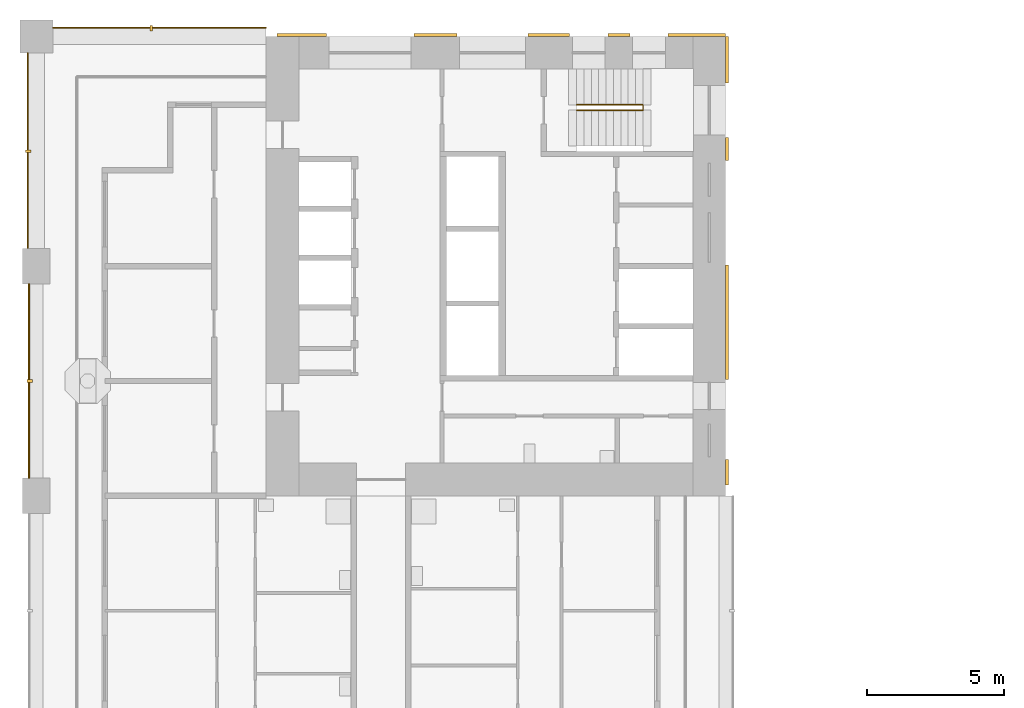
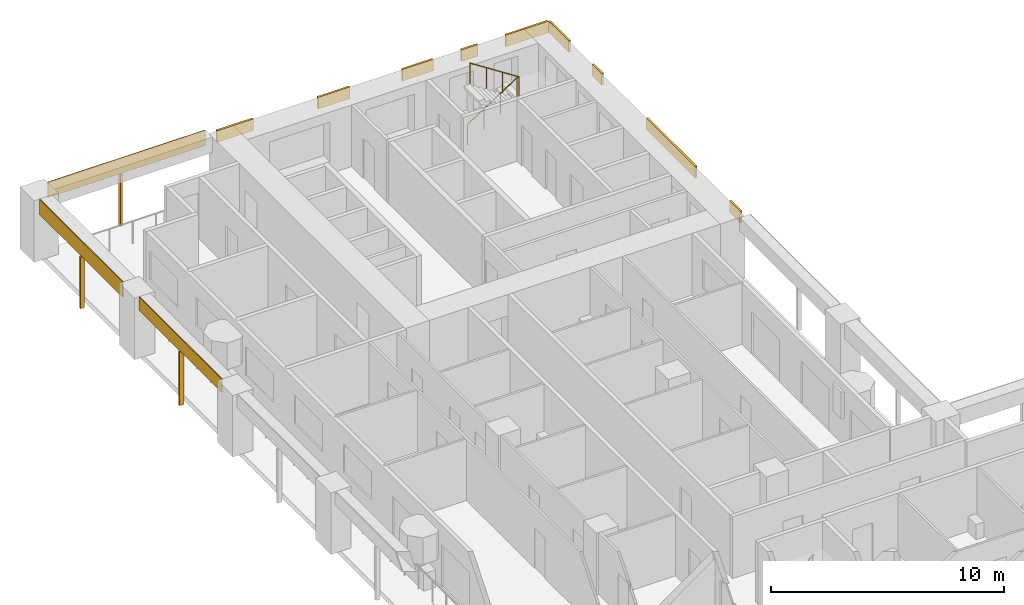
# One storey, part 14 of 18: 15 shading devices, 1 railing.
"""IFC4 building model written with IfcOpenShell, lengths in metres."""

from ifc_helpers import new_model, si_unit, direction, frame, origin, origin_2d, place, context, subcontext, project, spatial, rectangle, circle, extrude, material, layer, layer_set, material_profile, profile_set, type_object, element, save


model = new_model("IFC4")

# Units and contexts
model_context = context("Model", 3, precision=1e-05, world=origin(), true_north=direction((0.0, 1.0)))
body_context = subcontext(model_context, "Body", "Model", "MODEL_VIEW")
ifc_project = project(units=[si_unit("LENGTHUNIT", "METRE"), si_unit("AREAUNIT", "SQUARE_METRE"), si_unit("VOLUMEUNIT", "CUBIC_METRE"), si_unit("PLANEANGLEUNIT", "RADIAN"), si_unit("MASSUNIT", "GRAM", prefix="KILO")], contexts=[model_context])

# Site, building, storey
site_placement = place(None, origin())
site = spatial("IfcSite", under=ifc_project, at=site_placement, CompositionType="ELEMENT")
building_placement = place(site_placement, origin())
building = spatial("IfcBuilding", under=site, at=building_placement, Name="Vermilion Gate Residences", CompositionType="ELEMENT")
storey_placement = place(building_placement, frame((0.0, 0.0, 133.699951171875)))
storey = spatial("IfcBuildingStorey", under=building, at=storey_placement, Name="L34", CompositionType="ELEMENT", Elevation=133.699951171875)

# Shading devices
ifc_material_1 = material(Name="Perforated terracotta", Category="masonry")
ifc_layer_1 = layer(ifc_material_1, 0.0400390625)
ifc_layer_set_1 = layer_set([ifc_layer_1], Name="PERFORATED TERRACOTTA SCREEN 40")
shading_device_type_1 = type_object("IfcShadingDeviceType", Name="PERFORATED TERRACOTTA SCREEN 40", PredefinedType="SHUTTER", material=ifc_layer_set_1)
shading_device_1_placement = place(storey_placement, frame((4.5, 59.1201171875, 2.419921875), z_axis=(0.0, 0.0, 1.0), x_axis=(-1.0, 0.0, 0.0)))
element("IfcShadingDevice", 1, at=shading_device_1_placement, inside=storey, type_object=shading_device_type_1, Name="SCREEN", PredefinedType="SHUTTER", context=body_context, shape_type="SweptSolid", body=[
    extrude(rectangle(XDim=7.800048828125, YDim=0.0400390625, at=origin_2d()), origin(), (0.0, 0.0, 1.0), 0.800048828125),
])
shading_device_2_placement = place(storey_placement, frame((-0.27001953125, 46.199951171875, 2.52001953125), z_axis=(0.0, 0.0, 1.0), x_axis=(0.0, -1.0, 0.0)))
element("IfcShadingDevice", 2, at=shading_device_2_placement, inside=storey, type_object=shading_device_type_1, Name="SCREEN", PredefinedType="SHUTTER", context=body_context, shape_type="SweptSolid", body=[
    extrude(rectangle(XDim=7.10009765625, YDim=0.0400390625, at=origin_2d()), origin(), (0.0, 0.0, 1.0), 0.699951171875),
])
shading_device_3_placement = place(storey_placement, frame((-0.320068359375, 54.625, 2.419921875), z_axis=(0.0, 0.0, 1.0), x_axis=(0.0, -1.0, 0.0)))
element("IfcShadingDevice", 3, at=shading_device_3_placement, inside=storey, type_object=shading_device_type_1, Name="SCREEN", PredefinedType="SHUTTER", context=body_context, shape_type="SweptSolid", body=[
    extrude(rectangle(XDim=7.14990234375, YDim=0.0400390625, at=origin_2d()), origin(), (0.0, 0.0, 1.0), 0.800048828125),
])

# Railing
ifc_material_2 = material(Name="Steel S355", Category="steel")
railing_type = type_object("IfcRailingType", Name="STAIR GUARD 1100 STEEL", PredefinedType="GUARDRAIL", material=ifc_material_2)
railing_placement = place(storey_placement, frame((19.75, 56.300048828125, 0.175048828125)))
element("IfcRailing", 4, at=railing_placement, inside=storey, type_object=railing_type, Name="Stair well guard STB1-34", PredefinedType="GUARDRAIL", context=body_context, shape_type="SweptSolid", body=[
    extrude(circle(Radius=0.02392578125, at=origin_2d()), frame((0.0, 0.0, 1.076171875), z_axis=(0.839153699163, 0.0, 0.543894354798), x_axis=(0.0, 1.0, 0.0)), (0.0, 0.0, 1.0), 2.895751953125),
    extrude(circle(Radius=0.02392578125, at=origin_2d()), frame((2.429931640625, 0.0, 2.65087890625), z_axis=(0.0, -0.752405939678, 0.658699705433), x_axis=(1.0, 0.0, 0.0)), (0.0, 0.0, 1.0), 0.265869140625),
    extrude(circle(Radius=0.02392578125, at=origin_2d()), frame((2.429931640625, -0.199951171875, 2.826171875), z_axis=(-0.839153699163, 0.0, 0.543894354798), x_axis=(0.0, -1.0, 0.0)), (0.0, 0.0, 1.0), 2.895751953125),
    extrude(circle(Radius=0.02099609375, at=origin_2d()), origin(), (0.0, 0.0, 1.0), 1.052001953125),
    extrude(circle(Radius=0.02099609375, at=origin_2d()), frame((0.81005859375, 0.0, 0.52490234375)), (0.0, 0.0, 1.0), 1.052001953125),
    extrude(circle(Radius=0.02099609375, at=origin_2d()), frame((1.619873046875, 0.0, 1.050048828125)), (0.0, 0.0, 1.0), 1.052001953125),
    extrude(circle(Radius=0.02099609375, at=origin_2d()), frame((2.429931640625, 0.0, 1.574951171875)), (0.0, 0.0, 1.0), 1.052001953125),
    extrude(circle(Radius=0.02099609375, at=origin_2d()), frame((2.429931640625, -0.199951171875, 1.75)), (0.0, 0.0, 1.0), 1.052001953125),
    extrude(circle(Radius=0.02099609375, at=origin_2d()), frame((1.619873046875, -0.199951171875, 2.27490234375)), (0.0, 0.0, 1.0), 1.052001953125),
    extrude(circle(Radius=0.02099609375, at=origin_2d()), frame((0.81005859375, -0.199951171875, 2.800048828125)), (0.0, 0.0, 1.0), 1.052001953125),
    extrude(circle(Radius=0.02099609375, at=origin_2d()), frame((0.0, -0.199951171875, 3.324951171875)), (0.0, 0.0, 1.0), 1.052001953125),
])

# Shading devices
ifc_material_3 = material(Name="Extruded terracotta", Category="masonry")
ifc_material_profile = material_profile(ifc_material_3, rectangle(XDim=0.199951171875, YDim=0.10009765625, at=origin_2d()), Name="BAGUETTE 100 X 200")
ifc_profile_set = profile_set([ifc_material_profile], Name="Extruded terracotta")
shading_device_type_2 = type_object("IfcShadingDeviceType", Name="TERRACOTTA BAGUETTE 100 X 200", PredefinedType="JALOUSIE", material=ifc_profile_set)
shading_device_4_placement = place(storey_placement, frame((4.199951171875, 59.10009765625, -0.280029296875), z_axis=(0.0, 0.0, 1.0), x_axis=(0.0, -1.0, 0.0)))
element("IfcShadingDevice", 5, at=shading_device_4_placement, inside=storey, type_object=shading_device_type_2, Name="BAGUETTE", PredefinedType="JALOUSIE", context=body_context, shape_type="SweptSolid", body=[
    extrude(rectangle(XDim=0.199951171875, YDim=0.10009765625, at=origin_2d()), origin(), (0.0, 0.0, 1.0), 2.7001953125),
])
shading_device_5_placement = place(storey_placement, frame((-0.25, 46.199951171875, -0.280029296875), z_axis=(0.0, 0.0, 1.0), x_axis=(1.0, 0.0, 0.0)))
element("IfcShadingDevice", 6, at=shading_device_5_placement, inside=storey, type_object=shading_device_type_2, Name="BAGUETTE", PredefinedType="JALOUSIE", context=body_context, shape_type="SweptSolid", body=[
    extrude(rectangle(XDim=0.199951171875, YDim=0.10009765625, at=origin_2d()), origin(), (0.0, 0.0, 1.0), 2.800048828125),
])
shading_device_6_placement = place(storey_placement, frame((-0.300048828125, 54.60009765625, -0.280029296875), z_axis=(0.0, 0.0, 1.0), x_axis=(1.0, 0.0, 0.0)))
element("IfcShadingDevice", 7, at=shading_device_6_placement, inside=storey, type_object=shading_device_type_2, Name="BAGUETTE", PredefinedType="JALOUSIE", context=body_context, shape_type="SweptSolid", body=[
    extrude(rectangle(XDim=0.199951171875, YDim=0.10009765625, at=origin_2d()), origin(), (0.0, 0.0, 1.0), 2.7001953125),
])
ifc_material_4 = material(Name="Extruded terracotta", Category="masonry")
ifc_layer_2 = layer(ifc_material_4, 0.10009765625)
ifc_layer_set_2 = layer_set([ifc_layer_2], Name="TERRACOTTA SPANDREL BAND 600 X 100")
shading_device_type_3 = type_object("IfcShadingDeviceType", Name="TERRACOTTA SPANDREL BAND 600 X 100", PredefinedType="USERDEFINED", material=ifc_layer_set_2)
shading_device_7_placement = place(storey_placement, frame((9.702392578125, 58.85009765625, 2.6201171875), z_axis=(0.0, 0.0, 1.0), x_axis=(1.0, 0.0, 0.0)))
element("IfcShadingDevice", 8, at=shading_device_7_placement, inside=storey, type_object=shading_device_type_3, Name="SPANDREL BAND", ObjectType="BAND", PredefinedType="USERDEFINED", context=body_context, shape_type="SweptSolid", body=[
    extrude(rectangle(XDim=1.804931640625, YDim=0.10009765625, at=origin_2d()), origin(), (0.0, 0.0, 1.0), 0.60009765625),
])
shading_device_8_placement = place(storey_placement, frame((14.590087890625, 58.85009765625, 2.6201171875), z_axis=(0.0, 0.0, 1.0), x_axis=(1.0, 0.0, 0.0)))
element("IfcShadingDevice", 9, at=shading_device_8_placement, inside=storey, type_object=shading_device_type_3, Name="SPANDREL BAND", ObjectType="BAND", PredefinedType="USERDEFINED", context=body_context, shape_type="SweptSolid", body=[
    extrude(rectangle(XDim=1.570068359375, YDim=0.10009765625, at=origin_2d()), origin(), (0.0, 0.0, 1.0), 0.60009765625),
])
shading_device_9_placement = place(storey_placement, frame((18.734130859375, 58.85009765625, 2.6201171875), z_axis=(0.0, 0.0, 1.0), x_axis=(1.0, 0.0, 0.0)))
element("IfcShadingDevice", 10, at=shading_device_9_placement, inside=storey, type_object=shading_device_type_3, Name="SPANDREL BAND", ObjectType="BAND", PredefinedType="USERDEFINED", context=body_context, shape_type="SweptSolid", body=[
    extrude(rectangle(XDim=1.518310546875, YDim=0.10009765625, at=origin_2d()), origin(), (0.0, 0.0, 1.0), 0.60009765625),
])
shading_device_10_placement = place(storey_placement, frame((21.294921875, 58.85009765625, 2.6201171875), z_axis=(0.0, 0.0, 1.0), x_axis=(1.0, 0.0, 0.0)))
element("IfcShadingDevice", 11, at=shading_device_10_placement, inside=storey, type_object=shading_device_type_3, Name="SPANDREL BAND", ObjectType="BAND", PredefinedType="USERDEFINED", context=body_context, shape_type="SweptSolid", body=[
    extrude(rectangle(XDim=0.803466796875, YDim=0.10009765625, at=origin_2d()), origin(), (0.0, 0.0, 1.0), 0.60009765625),
])
shading_device_11_placement = place(storey_placement, frame((24.1484375, 58.85009765625, 2.6201171875), z_axis=(0.0, 0.0, 1.0), x_axis=(1.0, 0.0, 0.0)))
element("IfcShadingDevice", 12, at=shading_device_11_placement, inside=storey, type_object=shading_device_type_3, Name="SPANDREL BAND", ObjectType="BAND", PredefinedType="USERDEFINED", context=body_context, shape_type="SweptSolid", body=[
    extrude(rectangle(XDim=2.103271484375, YDim=0.10009765625, at=origin_2d()), origin(), (0.0, 0.0, 1.0), 0.60009765625),
])
shading_device_12_placement = place(storey_placement, frame((25.25, 42.862548828125, 2.6201171875), z_axis=(0.0, 0.0, 1.0), x_axis=(0.0, 1.0, 0.0)))
element("IfcShadingDevice", 13, at=shading_device_12_placement, inside=storey, type_object=shading_device_type_3, Name="SPANDREL BAND", ObjectType="BAND", PredefinedType="USERDEFINED", context=body_context, shape_type="SweptSolid", body=[
    extrude(rectangle(XDim=0.925048828125, YDim=0.10009765625, at=origin_2d()), origin(), (0.0, 0.0, 1.0), 0.60009765625),
])
shading_device_13_placement = place(storey_placement, frame((25.25, 48.35009765625, 2.6201171875), z_axis=(0.0, 0.0, 1.0), x_axis=(0.0, 1.0, 0.0)))
element("IfcShadingDevice", 14, at=shading_device_13_placement, inside=storey, type_object=shading_device_type_3, Name="SPANDREL BAND", ObjectType="BAND", PredefinedType="USERDEFINED", context=body_context, shape_type="SweptSolid", body=[
    extrude(rectangle(XDim=4.199951171875, YDim=0.10009765625, at=origin_2d()), origin(), (0.0, 0.0, 1.0), 0.60009765625),
])
shading_device_14_placement = place(storey_placement, frame((25.25, 54.67822265625, 2.6201171875), z_axis=(0.0, 0.0, 1.0), x_axis=(0.0, 1.0, 0.0)))
element("IfcShadingDevice", 15, at=shading_device_14_placement, inside=storey, type_object=shading_device_type_3, Name="SPANDREL BAND", ObjectType="BAND", PredefinedType="USERDEFINED", context=body_context, shape_type="SweptSolid", body=[
    extrude(rectangle(XDim=0.84375, YDim=0.10009765625, at=origin_2d()), origin(), (0.0, 0.0, 1.0), 0.60009765625),
])
shading_device_15_placement = place(storey_placement, frame((25.25, 57.949951171875, 2.6201171875), z_axis=(0.0, 0.0, 1.0), x_axis=(0.0, 1.0, 0.0)))
element("IfcShadingDevice", 16, at=shading_device_15_placement, inside=storey, type_object=shading_device_type_3, Name="SPANDREL BAND", ObjectType="BAND", PredefinedType="USERDEFINED", context=body_context, shape_type="SweptSolid", body=[
    extrude(rectangle(XDim=1.699951171875, YDim=0.10009765625, at=origin_2d()), origin(), (0.0, 0.0, 1.0), 0.60009765625),
])

save(model, "model.ifc")
